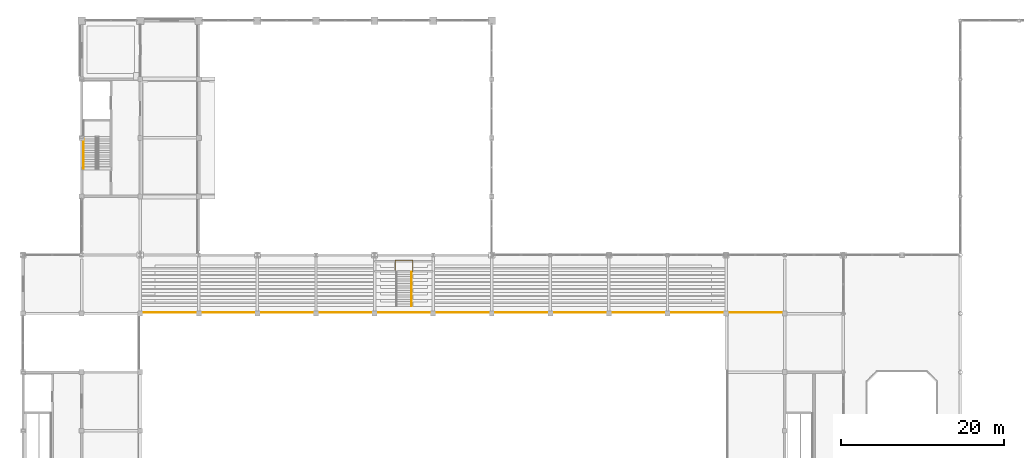
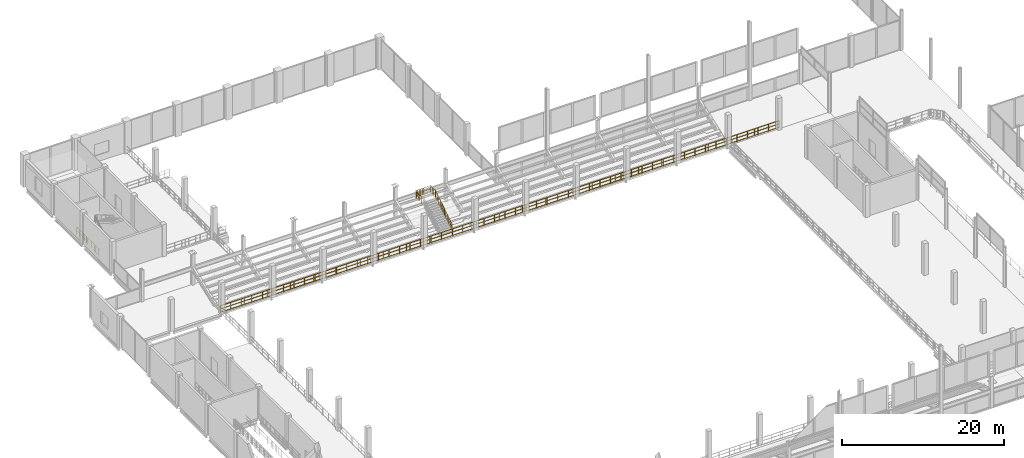
# One storey, part 113 of 120: 4 railings.
"""IFC4 building model written with IfcOpenShell, lengths in metres."""

from ifc_helpers import new_model, si_unit, direction, frame, origin, origin_2d, place, context, subcontext, project, spatial, circle, extrude, material, type_object, element, save


model = new_model("IFC4")

# Units and contexts
model_context = context("Model", 3, precision=1e-05, world=origin(), true_north=direction((0.0, 1.0)))
body_context = subcontext(model_context, "Body", "Model", "MODEL_VIEW")
ifc_project = project(units=[si_unit("LENGTHUNIT", "METRE"), si_unit("AREAUNIT", "SQUARE_METRE"), si_unit("VOLUMEUNIT", "CUBIC_METRE"), si_unit("PLANEANGLEUNIT", "RADIAN"), si_unit("MASSUNIT", "GRAM", prefix="KILO")], contexts=[model_context])

# Site, building, storey
site_placement = place(None, origin())
site = spatial("IfcSite", under=ifc_project, at=site_placement, CompositionType="ELEMENT")
building_placement = place(site_placement, origin())
building = spatial("IfcBuilding", under=site, at=building_placement, Name="Vesperath Aquatics Centre", CompositionType="ELEMENT")
storey_placement = place(building_placement, frame((0.0, 0.0, 10.199951171875)))
storey = spatial("IfcBuildingStorey", under=building, at=storey_placement, Name="L02", CompositionType="ELEMENT", Elevation=10.199951171875)

# Railings
ifc_material = material(Name="Powder-coated galvanized steel safety guard", Category="steel")
railing_type = type_object("IfcRailingType", Name="RL-GRD01", PredefinedType="GUARDRAIL", material=ifc_material)
railing_1_placement = place(storey_placement, frame((7.419921875, 97.0, 0.0)))
element("IfcRailing", 1, at=railing_1_placement, inside=storey, type_object=railing_type, Name="Stair ST3 Shaft Side Guard GR02 L02", PredefinedType="GUARDRAIL", context=body_context, shape_type="SweptSolid", body=[
    extrude(circle(Radius=0.02392578125, at=origin_2d()), frame((0.0, 0.0, 1.0859375), z_axis=(0.0, 1.0, 0.0), x_axis=(-1.0, 0.0, 0.0)), (0.0, 0.0, 1.0), 5.840087890625),
    extrude(circle(Radius=0.01611328125, at=origin_2d()), frame((0.0, 0.0, 0.10009765625), z_axis=(0.0, 1.0, 0.0), x_axis=(-1.0, 0.0, 0.0)), (0.0, 0.0, 1.0), 5.840087890625),
    extrude(circle(Radius=0.01611328125, at=origin_2d()), frame((0.0, 0.0, 0.610595703125), z_axis=(0.0, 1.0, 0.0), x_axis=(-1.0, 0.0, 0.0)), (0.0, 0.0, 1.0), 5.840087890625),
    extrude(circle(Radius=0.009033203125, at=origin_2d()), frame((0.0, 0.108154296875, 0.10009765625)), (0.0, 0.0, 1.0), 0.9619140625),
    extrude(circle(Radius=0.009033203125, at=origin_2d()), frame((0.0, 0.324462890625, 0.10009765625)), (0.0, 0.0, 1.0), 0.9619140625),
    extrude(circle(Radius=0.009033203125, at=origin_2d()), frame((0.0, 0.540771484375, 0.10009765625)), (0.0, 0.0, 1.0), 0.9619140625),
    extrude(circle(Radius=0.009033203125, at=origin_2d()), frame((0.0, 0.757080078125, 0.10009765625)), (0.0, 0.0, 1.0), 0.9619140625),
    extrude(circle(Radius=0.009033203125, at=origin_2d()), frame((0.0, 0.973388671875, 0.10009765625)), (0.0, 0.0, 1.0), 0.9619140625),
    extrude(circle(Radius=0.009033203125, at=origin_2d()), frame((0.0, 1.189697265625, 0.10009765625)), (0.0, 0.0, 1.0), 0.9619140625),
    extrude(circle(Radius=0.009033203125, at=origin_2d()), frame((0.0, 1.406005859375, 0.10009765625)), (0.0, 0.0, 1.0), 0.9619140625),
    extrude(circle(Radius=0.009033203125, at=origin_2d()), frame((0.0, 1.622314453125, 0.10009765625)), (0.0, 0.0, 1.0), 0.9619140625),
    extrude(circle(Radius=0.009033203125, at=origin_2d()), frame((0.0, 1.838623046875, 0.10009765625)), (0.0, 0.0, 1.0), 0.9619140625),
    extrude(circle(Radius=0.009033203125, at=origin_2d()), frame((0.0, 2.054931640625, 0.10009765625)), (0.0, 0.0, 1.0), 0.9619140625),
    extrude(circle(Radius=0.009033203125, at=origin_2d()), frame((0.0, 2.271240234375, 0.10009765625)), (0.0, 0.0, 1.0), 0.9619140625),
    extrude(circle(Radius=0.009033203125, at=origin_2d()), frame((0.0, 2.487548828125, 0.10009765625)), (0.0, 0.0, 1.0), 0.9619140625),
    extrude(circle(Radius=0.009033203125, at=origin_2d()), frame((0.0, 2.703857421875, 0.10009765625)), (0.0, 0.0, 1.0), 0.9619140625),
    extrude(circle(Radius=0.009033203125, at=origin_2d()), frame((0.0, 2.919921875, 0.10009765625)), (0.0, 0.0, 1.0), 0.9619140625),
    extrude(circle(Radius=0.009033203125, at=origin_2d()), frame((0.0, 3.13623046875, 0.10009765625)), (0.0, 0.0, 1.0), 0.9619140625),
    extrude(circle(Radius=0.009033203125, at=origin_2d()), frame((0.0, 3.3525390625, 0.10009765625)), (0.0, 0.0, 1.0), 0.9619140625),
    extrude(circle(Radius=0.009033203125, at=origin_2d()), frame((0.0, 3.56884765625, 0.10009765625)), (0.0, 0.0, 1.0), 0.9619140625),
    extrude(circle(Radius=0.009033203125, at=origin_2d()), frame((0.0, 3.78515625, 0.10009765625)), (0.0, 0.0, 1.0), 0.9619140625),
    extrude(circle(Radius=0.009033203125, at=origin_2d()), frame((0.0, 4.00146484375, 0.10009765625)), (0.0, 0.0, 1.0), 0.9619140625),
    extrude(circle(Radius=0.009033203125, at=origin_2d()), frame((0.0, 4.2177734375, 0.10009765625)), (0.0, 0.0, 1.0), 0.9619140625),
    extrude(circle(Radius=0.009033203125, at=origin_2d()), frame((0.0, 4.43408203125, 0.10009765625)), (0.0, 0.0, 1.0), 0.9619140625),
    extrude(circle(Radius=0.009033203125, at=origin_2d()), frame((0.0, 4.650390625, 0.10009765625)), (0.0, 0.0, 1.0), 0.9619140625),
    extrude(circle(Radius=0.009033203125, at=origin_2d()), frame((0.0, 4.86669921875, 0.10009765625)), (0.0, 0.0, 1.0), 0.9619140625),
    extrude(circle(Radius=0.009033203125, at=origin_2d()), frame((0.0, 5.0830078125, 0.10009765625)), (0.0, 0.0, 1.0), 0.9619140625),
    extrude(circle(Radius=0.009033203125, at=origin_2d()), frame((0.0, 5.29931640625, 0.10009765625)), (0.0, 0.0, 1.0), 0.9619140625),
    extrude(circle(Radius=0.009033203125, at=origin_2d()), frame((0.0, 5.515625, 0.10009765625)), (0.0, 0.0, 1.0), 0.9619140625),
    extrude(circle(Radius=0.009033203125, at=origin_2d()), frame((0.0, 5.73193359375, 0.10009765625)), (0.0, 0.0, 1.0), 0.9619140625),
    extrude(circle(Radius=0.02197265625, at=origin_2d()), origin(), (0.0, 0.0, 1.0), 1.0859375),
    extrude(circle(Radius=0.02197265625, at=origin_2d()), frame((0.0, 1.16796875, 0.0)), (0.0, 0.0, 1.0), 1.0859375),
    extrude(circle(Radius=0.02197265625, at=origin_2d()), frame((0.0, 2.3359375, 0.0)), (0.0, 0.0, 1.0), 1.0859375),
    extrude(circle(Radius=0.02197265625, at=origin_2d()), frame((0.0, 3.504150390625, 0.0)), (0.0, 0.0, 1.0), 1.0859375),
    extrude(circle(Radius=0.02197265625, at=origin_2d()), frame((0.0, 4.672119140625, 0.0)), (0.0, 0.0, 1.0), 1.0859375),
    extrude(circle(Radius=0.02197265625, at=origin_2d()), frame((0.0, 5.840087890625, 0.0)), (0.0, 0.0, 1.0), 1.0859375),
])
railing_2_placement = place(storey_placement, frame((47.719970703125, 80.10009765625, 0.0)))
element("IfcRailing", 2, at=railing_2_placement, inside=storey, type_object=railing_type, Name="Vomitory VOM-08 Guardrail GR02-E", PredefinedType="GUARDRAIL", context=body_context, shape_type="SweptSolid", body=[
    extrude(circle(Radius=0.02392578125, at=origin_2d()), frame((0.0, 0.0, 1.0859375), z_axis=(0.0, 0.845711950773, 0.53363966899), x_axis=(-1.0, 0.0, 0.0)), (0.0, 0.0, 1.0), 4.966064453125),
    extrude(circle(Radius=0.01611328125, at=origin_2d()), frame((0.0, 0.0, 0.10009765625), z_axis=(0.0, 0.845711950773, 0.53363966899), x_axis=(-1.0, 0.0, 0.0)), (0.0, 0.0, 1.0), 4.966064453125),
    extrude(circle(Radius=0.01611328125, at=origin_2d()), frame((0.0, 0.0, 0.610595703125), z_axis=(0.0, 0.845711950773, 0.53363966899), x_axis=(-1.0, 0.0, 0.0)), (0.0, 0.0, 1.0), 4.966064453125),
    extrude(circle(Radius=0.009033203125, at=origin_2d()), frame((0.0, 0.09130859375, 0.15771484375)), (0.0, 0.0, 1.0), 0.9619140625),
    extrude(circle(Radius=0.009033203125, at=origin_2d()), frame((0.0, 0.1826171875, 0.21533203125)), (0.0, 0.0, 1.0), 0.9619140625),
    extrude(circle(Radius=0.009033203125, at=origin_2d()), frame((0.0, 0.27392578125, 0.27294921875)), (0.0, 0.0, 1.0), 0.9619140625),
    extrude(circle(Radius=0.009033203125, at=origin_2d()), frame((0.0, 0.365234375, 0.33056640625)), (0.0, 0.0, 1.0), 0.9619140625),
    extrude(circle(Radius=0.009033203125, at=origin_2d()), frame((0.0, 0.45654296875, 0.38818359375)), (0.0, 0.0, 1.0), 0.9619140625),
    extrude(circle(Radius=0.009033203125, at=origin_2d()), frame((0.0, 0.5478515625, 0.44580078125)), (0.0, 0.0, 1.0), 0.9619140625),
    extrude(circle(Radius=0.009033203125, at=origin_2d()), frame((0.0, 0.63916015625, 0.50341796875)), (0.0, 0.0, 1.0), 0.9619140625),
    extrude(circle(Radius=0.009033203125, at=origin_2d()), frame((0.0, 0.73046875, 0.56103515625)), (0.0, 0.0, 1.0), 0.9619140625),
    extrude(circle(Radius=0.009033203125, at=origin_2d()), frame((0.0, 0.82177734375, 0.61865234375)), (0.0, 0.0, 1.0), 0.9619140625),
    extrude(circle(Radius=0.009033203125, at=origin_2d()), frame((0.0, 0.9130859375, 0.67626953125)), (0.0, 0.0, 1.0), 0.9619140625),
    extrude(circle(Radius=0.009033203125, at=origin_2d()), frame((0.0, 1.00439453125, 0.73388671875)), (0.0, 0.0, 1.0), 0.9619140625),
    extrude(circle(Radius=0.009033203125, at=origin_2d()), frame((0.0, 1.095703125, 0.79150390625)), (0.0, 0.0, 1.0), 0.9619140625),
    extrude(circle(Radius=0.009033203125, at=origin_2d()), frame((0.0, 1.18701171875, 0.84912109375)), (0.0, 0.0, 1.0), 0.9619140625),
    extrude(circle(Radius=0.009033203125, at=origin_2d()), frame((0.0, 1.2783203125, 0.90673828125)), (0.0, 0.0, 1.0), 0.9619140625),
    extrude(circle(Radius=0.009033203125, at=origin_2d()), frame((0.0, 1.36962890625, 0.96435546875)), (0.0, 0.0, 1.0), 0.9619140625),
    extrude(circle(Radius=0.009033203125, at=origin_2d()), frame((0.0, 1.4609375, 1.02197265625)), (0.0, 0.0, 1.0), 0.9619140625),
    extrude(circle(Radius=0.009033203125, at=origin_2d()), frame((0.0, 1.55224609375, 1.07958984375)), (0.0, 0.0, 1.0), 0.9619140625),
    extrude(circle(Radius=0.009033203125, at=origin_2d()), frame((0.0, 1.6435546875, 1.13720703125)), (0.0, 0.0, 1.0), 0.9619140625),
    extrude(circle(Radius=0.009033203125, at=origin_2d()), frame((0.0, 1.73486328125, 1.19482421875)), (0.0, 0.0, 1.0), 0.9619140625),
    extrude(circle(Radius=0.009033203125, at=origin_2d()), frame((0.0, 1.826171875, 1.25244140625)), (0.0, 0.0, 1.0), 0.9619140625),
    extrude(circle(Radius=0.009033203125, at=origin_2d()), frame((0.0, 1.91748046875, 1.31005859375)), (0.0, 0.0, 1.0), 0.9619140625),
    extrude(circle(Radius=0.009033203125, at=origin_2d()), frame((0.0, 2.0087890625, 1.36767578125)), (0.0, 0.0, 1.0), 0.9619140625),
    extrude(circle(Radius=0.009033203125, at=origin_2d()), frame((0.0, 2.10009765625, 1.42529296875)), (0.0, 0.0, 1.0), 0.9619140625),
    extrude(circle(Radius=0.009033203125, at=origin_2d()), frame((0.0, 2.191162109375, 1.482666015625)), (0.0, 0.0, 1.0), 0.9619140625),
    extrude(circle(Radius=0.009033203125, at=origin_2d()), frame((0.0, 2.282470703125, 1.540283203125)), (0.0, 0.0, 1.0), 0.9619140625),
    extrude(circle(Radius=0.009033203125, at=origin_2d()), frame((0.0, 2.373779296875, 1.597900390625)), (0.0, 0.0, 1.0), 0.9619140625),
    extrude(circle(Radius=0.009033203125, at=origin_2d()), frame((0.0, 2.465087890625, 1.655517578125)), (0.0, 0.0, 1.0), 0.9619140625),
    extrude(circle(Radius=0.009033203125, at=origin_2d()), frame((0.0, 2.556396484375, 1.713134765625)), (0.0, 0.0, 1.0), 0.9619140625),
    extrude(circle(Radius=0.009033203125, at=origin_2d()), frame((0.0, 2.647705078125, 1.770751953125)), (0.0, 0.0, 1.0), 0.9619140625),
    extrude(circle(Radius=0.009033203125, at=origin_2d()), frame((0.0, 2.739013671875, 1.828369140625)), (0.0, 0.0, 1.0), 0.9619140625),
    extrude(circle(Radius=0.009033203125, at=origin_2d()), frame((0.0, 2.830322265625, 1.885986328125)), (0.0, 0.0, 1.0), 0.9619140625),
    extrude(circle(Radius=0.009033203125, at=origin_2d()), frame((0.0, 2.921630859375, 1.943603515625)), (0.0, 0.0, 1.0), 0.9619140625),
    extrude(circle(Radius=0.009033203125, at=origin_2d()), frame((0.0, 3.012939453125, 2.001220703125)), (0.0, 0.0, 1.0), 0.9619140625),
    extrude(circle(Radius=0.009033203125, at=origin_2d()), frame((0.0, 3.104248046875, 2.058837890625)), (0.0, 0.0, 1.0), 0.9619140625),
    extrude(circle(Radius=0.009033203125, at=origin_2d()), frame((0.0, 3.195556640625, 2.116455078125)), (0.0, 0.0, 1.0), 0.9619140625),
    extrude(circle(Radius=0.009033203125, at=origin_2d()), frame((0.0, 3.286865234375, 2.174072265625)), (0.0, 0.0, 1.0), 0.9619140625),
    extrude(circle(Radius=0.009033203125, at=origin_2d()), frame((0.0, 3.378173828125, 2.231689453125)), (0.0, 0.0, 1.0), 0.9619140625),
    extrude(circle(Radius=0.009033203125, at=origin_2d()), frame((0.0, 3.469482421875, 2.289306640625)), (0.0, 0.0, 1.0), 0.9619140625),
    extrude(circle(Radius=0.009033203125, at=origin_2d()), frame((0.0, 3.560791015625, 2.346923828125)), (0.0, 0.0, 1.0), 0.9619140625),
    extrude(circle(Radius=0.009033203125, at=origin_2d()), frame((0.0, 3.652099609375, 2.404541015625)), (0.0, 0.0, 1.0), 0.9619140625),
    extrude(circle(Radius=0.009033203125, at=origin_2d()), frame((0.0, 3.743408203125, 2.462158203125)), (0.0, 0.0, 1.0), 0.9619140625),
    extrude(circle(Radius=0.009033203125, at=origin_2d()), frame((0.0, 3.834716796875, 2.519775390625)), (0.0, 0.0, 1.0), 0.9619140625),
    extrude(circle(Radius=0.009033203125, at=origin_2d()), frame((0.0, 3.926025390625, 2.577392578125)), (0.0, 0.0, 1.0), 0.9619140625),
    extrude(circle(Radius=0.009033203125, at=origin_2d()), frame((0.0, 4.017333984375, 2.635009765625)), (0.0, 0.0, 1.0), 0.9619140625),
    extrude(circle(Radius=0.009033203125, at=origin_2d()), frame((0.0, 4.108642578125, 2.692626953125)), (0.0, 0.0, 1.0), 0.9619140625),
    extrude(circle(Radius=0.02197265625, at=origin_2d()), origin(), (0.0, 0.0, 1.0), 1.0859375),
    extrude(circle(Radius=0.02197265625, at=origin_2d()), frame((0.0, 0.840087890625, 0.530029296875)), (0.0, 0.0, 1.0), 1.0859375),
    extrude(circle(Radius=0.02197265625, at=origin_2d()), frame((0.0, 1.679931640625, 1.06005859375)), (0.0, 0.0, 1.0), 1.0859375),
    extrude(circle(Radius=0.02197265625, at=origin_2d()), frame((0.0, 2.52001953125, 1.590087890625)), (0.0, 0.0, 1.0), 1.0859375),
    extrude(circle(Radius=0.02197265625, at=origin_2d()), frame((0.0, 3.35986328125, 2.1201171875)), (0.0, 0.0, 1.0), 1.0859375),
    extrude(circle(Radius=0.02197265625, at=origin_2d()), frame((0.0, 4.199951171875, 2.650146484375)), (0.0, 0.0, 1.0), 1.0859375),
])
railing_3_placement = place(storey_placement, frame((45.719970703125, 84.300048828125, 2.400146484375)))
element("IfcRailing", 3, at=railing_3_placement, inside=storey, type_object=railing_type, Name="Vomitory VOM-08 Top Landing Guard GR02", PredefinedType="GUARDRAIL", context=body_context, shape_type="SweptSolid", body=[
    extrude(circle(Radius=0.02392578125, at=origin_2d()), frame((0.0, 0.0, 1.0859375), z_axis=(0.0, 1.0, 0.0), x_axis=(-1.0, 0.0, 0.0)), (0.0, 0.0, 1.0), 1.449951171875),
    extrude(circle(Radius=0.01611328125, at=origin_2d()), frame((0.0, 0.0, 0.10009765625), z_axis=(0.0, 1.0, 0.0), x_axis=(-1.0, 0.0, 0.0)), (0.0, 0.0, 1.0), 1.449951171875),
    extrude(circle(Radius=0.01611328125, at=origin_2d()), frame((0.0, 0.0, 0.610595703125), z_axis=(0.0, 1.0, 0.0), x_axis=(-1.0, 0.0, 0.0)), (0.0, 0.0, 1.0), 1.449951171875),
    extrude(circle(Radius=0.009033203125, at=origin_2d()), frame((0.0, 0.103515625, 0.10009765625)), (0.0, 0.0, 1.0), 0.9619140625),
    extrude(circle(Radius=0.009033203125, at=origin_2d()), frame((0.0, 0.20703125, 0.10009765625)), (0.0, 0.0, 1.0), 0.9619140625),
    extrude(circle(Radius=0.009033203125, at=origin_2d()), frame((0.0, 0.310791015625, 0.10009765625)), (0.0, 0.0, 1.0), 0.9619140625),
    extrude(circle(Radius=0.009033203125, at=origin_2d()), frame((0.0, 0.414306640625, 0.10009765625)), (0.0, 0.0, 1.0), 0.9619140625),
    extrude(circle(Radius=0.009033203125, at=origin_2d()), frame((0.0, 0.517822265625, 0.10009765625)), (0.0, 0.0, 1.0), 0.9619140625),
    extrude(circle(Radius=0.009033203125, at=origin_2d()), frame((0.0, 0.621337890625, 0.10009765625)), (0.0, 0.0, 1.0), 0.9619140625),
    extrude(circle(Radius=0.009033203125, at=origin_2d()), frame((0.0, 0.72509765625, 0.10009765625)), (0.0, 0.0, 1.0), 0.9619140625),
    extrude(circle(Radius=0.009033203125, at=origin_2d()), frame((0.0, 0.82861328125, 0.10009765625)), (0.0, 0.0, 1.0), 0.9619140625),
    extrude(circle(Radius=0.009033203125, at=origin_2d()), frame((0.0, 0.93212890625, 0.10009765625)), (0.0, 0.0, 1.0), 0.9619140625),
    extrude(circle(Radius=0.009033203125, at=origin_2d()), frame((0.0, 1.03564453125, 0.10009765625)), (0.0, 0.0, 1.0), 0.9619140625),
    extrude(circle(Radius=0.009033203125, at=origin_2d()), frame((0.0, 1.13916015625, 0.10009765625)), (0.0, 0.0, 1.0), 0.9619140625),
    extrude(circle(Radius=0.009033203125, at=origin_2d()), frame((0.0, 1.242919921875, 0.10009765625)), (0.0, 0.0, 1.0), 0.9619140625),
    extrude(circle(Radius=0.009033203125, at=origin_2d()), frame((0.0, 1.346435546875, 0.10009765625)), (0.0, 0.0, 1.0), 0.9619140625),
    extrude(circle(Radius=0.02392578125, at=origin_2d()), frame((0.0, 1.449951171875, 1.0859375), z_axis=(1.0, 0.0, 0.0), x_axis=(0.0, 1.0, 0.0)), (0.0, 0.0, 1.0), 2.159912109375),
    extrude(circle(Radius=0.01611328125, at=origin_2d()), frame((0.0, 1.449951171875, 0.10009765625), z_axis=(1.0, 0.0, 0.0), x_axis=(0.0, 1.0, 0.0)), (0.0, 0.0, 1.0), 2.159912109375),
    extrude(circle(Radius=0.01611328125, at=origin_2d()), frame((0.0, 1.449951171875, 0.610595703125), z_axis=(1.0, 0.0, 0.0), x_axis=(0.0, 1.0, 0.0)), (0.0, 0.0, 1.0), 2.159912109375),
    extrude(circle(Radius=0.009033203125, at=origin_2d()), frame((0.10791015625, 1.449951171875, 0.10009765625)), (0.0, 0.0, 1.0), 0.9619140625),
    extrude(circle(Radius=0.009033203125, at=origin_2d()), frame((0.216064453125, 1.449951171875, 0.10009765625)), (0.0, 0.0, 1.0), 0.9619140625),
    extrude(circle(Radius=0.009033203125, at=origin_2d()), frame((0.323974609375, 1.449951171875, 0.10009765625)), (0.0, 0.0, 1.0), 0.9619140625),
    extrude(circle(Radius=0.009033203125, at=origin_2d()), frame((0.431884765625, 1.449951171875, 0.10009765625)), (0.0, 0.0, 1.0), 0.9619140625),
    extrude(circle(Radius=0.009033203125, at=origin_2d()), frame((0.5400390625, 1.449951171875, 0.10009765625)), (0.0, 0.0, 1.0), 0.9619140625),
    extrude(circle(Radius=0.009033203125, at=origin_2d()), frame((0.64794921875, 1.449951171875, 0.10009765625)), (0.0, 0.0, 1.0), 0.9619140625),
    extrude(circle(Radius=0.009033203125, at=origin_2d()), frame((0.755859375, 1.449951171875, 0.10009765625)), (0.0, 0.0, 1.0), 0.9619140625),
    extrude(circle(Radius=0.009033203125, at=origin_2d()), frame((0.864013671875, 1.449951171875, 0.10009765625)), (0.0, 0.0, 1.0), 0.9619140625),
    extrude(circle(Radius=0.009033203125, at=origin_2d()), frame((0.971923828125, 1.449951171875, 0.10009765625)), (0.0, 0.0, 1.0), 0.9619140625),
    extrude(circle(Radius=0.009033203125, at=origin_2d()), frame((1.080078125, 1.449951171875, 0.10009765625)), (0.0, 0.0, 1.0), 0.9619140625),
    extrude(circle(Radius=0.009033203125, at=origin_2d()), frame((1.18798828125, 1.449951171875, 0.10009765625)), (0.0, 0.0, 1.0), 0.9619140625),
    extrude(circle(Radius=0.009033203125, at=origin_2d()), frame((1.2958984375, 1.449951171875, 0.10009765625)), (0.0, 0.0, 1.0), 0.9619140625),
    extrude(circle(Radius=0.009033203125, at=origin_2d()), frame((1.404052734375, 1.449951171875, 0.10009765625)), (0.0, 0.0, 1.0), 0.9619140625),
    extrude(circle(Radius=0.009033203125, at=origin_2d()), frame((1.511962890625, 1.449951171875, 0.10009765625)), (0.0, 0.0, 1.0), 0.9619140625),
    extrude(circle(Radius=0.009033203125, at=origin_2d()), frame((1.619873046875, 1.449951171875, 0.10009765625)), (0.0, 0.0, 1.0), 0.9619140625),
    extrude(circle(Radius=0.009033203125, at=origin_2d()), frame((1.72802734375, 1.449951171875, 0.10009765625)), (0.0, 0.0, 1.0), 0.9619140625),
    extrude(circle(Radius=0.009033203125, at=origin_2d()), frame((1.8359375, 1.449951171875, 0.10009765625)), (0.0, 0.0, 1.0), 0.9619140625),
    extrude(circle(Radius=0.009033203125, at=origin_2d()), frame((1.94384765625, 1.449951171875, 0.10009765625)), (0.0, 0.0, 1.0), 0.9619140625),
    extrude(circle(Radius=0.009033203125, at=origin_2d()), frame((2.052001953125, 1.449951171875, 0.10009765625)), (0.0, 0.0, 1.0), 0.9619140625),
    extrude(circle(Radius=0.02392578125, at=origin_2d()), frame((2.159912109375, 1.449951171875, 1.0859375), z_axis=(0.0, -1.0, 0.0), x_axis=(1.0, 0.0, 0.0)), (0.0, 0.0, 1.0), 1.449951171875),
    extrude(circle(Radius=0.01611328125, at=origin_2d()), frame((2.159912109375, 1.449951171875, 0.10009765625), z_axis=(0.0, -1.0, 0.0), x_axis=(1.0, 0.0, 0.0)), (0.0, 0.0, 1.0), 1.449951171875),
    extrude(circle(Radius=0.01611328125, at=origin_2d()), frame((2.159912109375, 1.449951171875, 0.610595703125), z_axis=(0.0, -1.0, 0.0), x_axis=(1.0, 0.0, 0.0)), (0.0, 0.0, 1.0), 1.449951171875),
    extrude(circle(Radius=0.009033203125, at=origin_2d()), frame((2.159912109375, 1.346435546875, 0.10009765625)), (0.0, 0.0, 1.0), 0.9619140625),
    extrude(circle(Radius=0.009033203125, at=origin_2d()), frame((2.159912109375, 1.242919921875, 0.10009765625)), (0.0, 0.0, 1.0), 0.9619140625),
    extrude(circle(Radius=0.009033203125, at=origin_2d()), frame((2.159912109375, 1.13916015625, 0.10009765625)), (0.0, 0.0, 1.0), 0.9619140625),
    extrude(circle(Radius=0.009033203125, at=origin_2d()), frame((2.159912109375, 1.03564453125, 0.10009765625)), (0.0, 0.0, 1.0), 0.9619140625),
    extrude(circle(Radius=0.009033203125, at=origin_2d()), frame((2.159912109375, 0.93212890625, 0.10009765625)), (0.0, 0.0, 1.0), 0.9619140625),
    extrude(circle(Radius=0.009033203125, at=origin_2d()), frame((2.159912109375, 0.82861328125, 0.10009765625)), (0.0, 0.0, 1.0), 0.9619140625),
    extrude(circle(Radius=0.009033203125, at=origin_2d()), frame((2.159912109375, 0.72509765625, 0.10009765625)), (0.0, 0.0, 1.0), 0.9619140625),
    extrude(circle(Radius=0.009033203125, at=origin_2d()), frame((2.159912109375, 0.621337890625, 0.10009765625)), (0.0, 0.0, 1.0), 0.9619140625),
    extrude(circle(Radius=0.009033203125, at=origin_2d()), frame((2.159912109375, 0.517822265625, 0.10009765625)), (0.0, 0.0, 1.0), 0.9619140625),
    extrude(circle(Radius=0.009033203125, at=origin_2d()), frame((2.159912109375, 0.414306640625, 0.10009765625)), (0.0, 0.0, 1.0), 0.9619140625),
    extrude(circle(Radius=0.009033203125, at=origin_2d()), frame((2.159912109375, 0.310791015625, 0.10009765625)), (0.0, 0.0, 1.0), 0.9619140625),
    extrude(circle(Radius=0.009033203125, at=origin_2d()), frame((2.159912109375, 0.20703125, 0.10009765625)), (0.0, 0.0, 1.0), 0.9619140625),
    extrude(circle(Radius=0.009033203125, at=origin_2d()), frame((2.159912109375, 0.103515625, 0.10009765625)), (0.0, 0.0, 1.0), 0.9619140625),
    extrude(circle(Radius=0.02197265625, at=origin_2d()), origin(), (0.0, 0.0, 1.0), 1.0859375),
    extrude(circle(Radius=0.02197265625, at=origin_2d()), frame((0.0, 0.72509765625, 0.0)), (0.0, 0.0, 1.0), 1.0859375),
    extrude(circle(Radius=0.02197265625, at=origin_2d()), frame((0.0, 1.449951171875, 0.0)), (0.0, 0.0, 1.0), 1.0859375),
    extrude(circle(Radius=0.02197265625, at=origin_2d()), frame((1.080078125, 1.449951171875, 0.0)), (0.0, 0.0, 1.0), 1.0859375),
    extrude(circle(Radius=0.02197265625, at=origin_2d()), frame((2.159912109375, 1.449951171875, 0.0)), (0.0, 0.0, 1.0), 1.0859375),
    extrude(circle(Radius=0.02197265625, at=origin_2d()), frame((2.159912109375, 0.72509765625, 0.0)), (0.0, 0.0, 1.0), 1.0859375),
    extrude(circle(Radius=0.02197265625, at=origin_2d()), frame((2.159912109375, 0.0, 0.0)), (0.0, 0.0, 1.0), 1.0859375),
])
railing_4_placement = place(storey_placement, frame((14.25, 79.35009765625, 0.0)))
element("IfcRailing", 4, at=railing_4_placement, inside=storey, type_object=railing_type, Name="Safety Guardrail GR02 GRD_L02_CONC_N", PredefinedType="GUARDRAIL", context=body_context, shape_type="SweptSolid", body=[
    extrude(circle(Radius=0.02392578125, at=origin_2d()), frame((0.0, 0.0, 1.0859375), z_axis=(1.0, 0.0, 0.0), x_axis=(0.0, 1.0, 0.0)), (0.0, 0.0, 1.0), 79.5),
    extrude(circle(Radius=0.01611328125, at=origin_2d()), frame((0.0, 0.0, 0.10009765625), z_axis=(1.0, 0.0, 0.0), x_axis=(0.0, 1.0, 0.0)), (0.0, 0.0, 1.0), 79.5),
    extrude(circle(Radius=0.01611328125, at=origin_2d()), frame((0.0, 0.0, 0.610595703125), z_axis=(1.0, 0.0, 0.0), x_axis=(0.0, 1.0, 0.0)), (0.0, 0.0, 1.0), 79.5),
    extrude(circle(Radius=0.009033203125, at=origin_2d()), frame((0.10986328125, 0.0, 0.10009765625)), (0.0, 0.0, 1.0), 0.9619140625),
    extrude(circle(Radius=0.009033203125, at=origin_2d()), frame((3.40869140625, 0.0, 0.10009765625)), (0.0, 0.0, 1.0), 0.9619140625),
    extrude(circle(Radius=0.009033203125, at=origin_2d()), frame((6.70751953125, 0.0, 0.10009765625)), (0.0, 0.0, 1.0), 0.9619140625),
    extrude(circle(Radius=0.009033203125, at=origin_2d()), frame((10.006103515625, 0.0, 0.10009765625)), (0.0, 0.0, 1.0), 0.9619140625),
    extrude(circle(Radius=0.009033203125, at=origin_2d()), frame((13.304931640625, 0.0, 0.10009765625)), (0.0, 0.0, 1.0), 0.9619140625),
    extrude(circle(Radius=0.009033203125, at=origin_2d()), frame((16.603759765625, 0.0, 0.10009765625)), (0.0, 0.0, 1.0), 0.9619140625),
    extrude(circle(Radius=0.009033203125, at=origin_2d()), frame((19.902587890625, 0.0, 0.10009765625)), (0.0, 0.0, 1.0), 0.9619140625),
    extrude(circle(Radius=0.009033203125, at=origin_2d()), frame((23.201171875, 0.0, 0.10009765625)), (0.0, 0.0, 1.0), 0.9619140625),
    extrude(circle(Radius=0.009033203125, at=origin_2d()), frame((26.5, 0.0, 0.10009765625)), (0.0, 0.0, 1.0), 0.9619140625),
    extrude(circle(Radius=0.009033203125, at=origin_2d()), frame((29.798828125, 0.0, 0.10009765625)), (0.0, 0.0, 1.0), 0.9619140625),
    extrude(circle(Radius=0.009033203125, at=origin_2d()), frame((33.097412109375, 0.0, 0.10009765625)), (0.0, 0.0, 1.0), 0.9619140625),
    extrude(circle(Radius=0.009033203125, at=origin_2d()), frame((36.396240234375, 0.0, 0.10009765625)), (0.0, 0.0, 1.0), 0.9619140625),
    extrude(circle(Radius=0.009033203125, at=origin_2d()), frame((39.695068359375, 0.0, 0.10009765625)), (0.0, 0.0, 1.0), 0.9619140625),
    extrude(circle(Radius=0.009033203125, at=origin_2d()), frame((42.993896484375, 0.0, 0.10009765625)), (0.0, 0.0, 1.0), 0.9619140625),
    extrude(circle(Radius=0.009033203125, at=origin_2d()), frame((46.29248046875, 0.0, 0.10009765625)), (0.0, 0.0, 1.0), 0.9619140625),
    extrude(circle(Radius=0.009033203125, at=origin_2d()), frame((49.59130859375, 0.0, 0.10009765625)), (0.0, 0.0, 1.0), 0.9619140625),
    extrude(circle(Radius=0.009033203125, at=origin_2d()), frame((52.89013671875, 0.0, 0.10009765625)), (0.0, 0.0, 1.0), 0.9619140625),
    extrude(circle(Radius=0.009033203125, at=origin_2d()), frame((56.188720703125, 0.0, 0.10009765625)), (0.0, 0.0, 1.0), 0.9619140625),
    extrude(circle(Radius=0.009033203125, at=origin_2d()), frame((59.487548828125, 0.0, 0.10009765625)), (0.0, 0.0, 1.0), 0.9619140625),
    extrude(circle(Radius=0.009033203125, at=origin_2d()), frame((62.786376953125, 0.0, 0.10009765625)), (0.0, 0.0, 1.0), 0.9619140625),
    extrude(circle(Radius=0.009033203125, at=origin_2d()), frame((66.0849609375, 0.0, 0.10009765625)), (0.0, 0.0, 1.0), 0.9619140625),
    extrude(circle(Radius=0.009033203125, at=origin_2d()), frame((69.3837890625, 0.0, 0.10009765625)), (0.0, 0.0, 1.0), 0.9619140625),
    extrude(circle(Radius=0.009033203125, at=origin_2d()), frame((72.6826171875, 0.0, 0.10009765625)), (0.0, 0.0, 1.0), 0.9619140625),
    extrude(circle(Radius=0.009033203125, at=origin_2d()), frame((75.9814453125, 0.0, 0.10009765625)), (0.0, 0.0, 1.0), 0.9619140625),
    extrude(circle(Radius=0.009033203125, at=origin_2d()), frame((79.280029296875, 0.0, 0.10009765625)), (0.0, 0.0, 1.0), 0.9619140625),
    extrude(circle(Radius=0.02197265625, at=origin_2d()), origin(), (0.0, 0.0, 1.0), 1.0859375),
    extrude(circle(Radius=0.02197265625, at=origin_2d()), frame((1.5, 0.0, 0.0)), (0.0, 0.0, 1.0), 1.0859375),
    extrude(circle(Radius=0.02197265625, at=origin_2d()), frame((3.0, 0.0, 0.0)), (0.0, 0.0, 1.0), 1.0859375),
    extrude(circle(Radius=0.02197265625, at=origin_2d()), frame((4.5, 0.0, 0.0)), (0.0, 0.0, 1.0), 1.0859375),
    extrude(circle(Radius=0.02197265625, at=origin_2d()), frame((6.0, 0.0, 0.0)), (0.0, 0.0, 1.0), 1.0859375),
    extrude(circle(Radius=0.02197265625, at=origin_2d()), frame((7.5, 0.0, 0.0)), (0.0, 0.0, 1.0), 1.0859375),
    extrude(circle(Radius=0.02197265625, at=origin_2d()), frame((9.0, 0.0, 0.0)), (0.0, 0.0, 1.0), 1.0859375),
    extrude(circle(Radius=0.02197265625, at=origin_2d()), frame((10.5, 0.0, 0.0)), (0.0, 0.0, 1.0), 1.0859375),
    extrude(circle(Radius=0.02197265625, at=origin_2d()), frame((12.0, 0.0, 0.0)), (0.0, 0.0, 1.0), 1.0859375),
    extrude(circle(Radius=0.02197265625, at=origin_2d()), frame((13.5, 0.0, 0.0)), (0.0, 0.0, 1.0), 1.0859375),
    extrude(circle(Radius=0.02197265625, at=origin_2d()), frame((15.0, 0.0, 0.0)), (0.0, 0.0, 1.0), 1.0859375),
    extrude(circle(Radius=0.02197265625, at=origin_2d()), frame((16.5, 0.0, 0.0)), (0.0, 0.0, 1.0), 1.0859375),
    extrude(circle(Radius=0.02197265625, at=origin_2d()), frame((18.0, 0.0, 0.0)), (0.0, 0.0, 1.0), 1.0859375),
    extrude(circle(Radius=0.02197265625, at=origin_2d()), frame((19.5, 0.0, 0.0)), (0.0, 0.0, 1.0), 1.0859375),
    extrude(circle(Radius=0.02197265625, at=origin_2d()), frame((21.0, 0.0, 0.0)), (0.0, 0.0, 1.0), 1.0859375),
    extrude(circle(Radius=0.02197265625, at=origin_2d()), frame((22.5, 0.0, 0.0)), (0.0, 0.0, 1.0), 1.0859375),
    extrude(circle(Radius=0.02197265625, at=origin_2d()), frame((24.0, 0.0, 0.0)), (0.0, 0.0, 1.0), 1.0859375),
    extrude(circle(Radius=0.02197265625, at=origin_2d()), frame((25.5, 0.0, 0.0)), (0.0, 0.0, 1.0), 1.0859375),
    extrude(circle(Radius=0.02197265625, at=origin_2d()), frame((27.0, 0.0, 0.0)), (0.0, 0.0, 1.0), 1.0859375),
    extrude(circle(Radius=0.02197265625, at=origin_2d()), frame((28.5, 0.0, 0.0)), (0.0, 0.0, 1.0), 1.0859375),
    extrude(circle(Radius=0.02197265625, at=origin_2d()), frame((30.0, 0.0, 0.0)), (0.0, 0.0, 1.0), 1.0859375),
    extrude(circle(Radius=0.02197265625, at=origin_2d()), frame((31.5, 0.0, 0.0)), (0.0, 0.0, 1.0), 1.0859375),
    extrude(circle(Radius=0.02197265625, at=origin_2d()), frame((33.0, 0.0, 0.0)), (0.0, 0.0, 1.0), 1.0859375),
    extrude(circle(Radius=0.02197265625, at=origin_2d()), frame((34.5, 0.0, 0.0)), (0.0, 0.0, 1.0), 1.0859375),
    extrude(circle(Radius=0.02197265625, at=origin_2d()), frame((36.0, 0.0, 0.0)), (0.0, 0.0, 1.0), 1.0859375),
    extrude(circle(Radius=0.02197265625, at=origin_2d()), frame((37.5, 0.0, 0.0)), (0.0, 0.0, 1.0), 1.0859375),
    extrude(circle(Radius=0.02197265625, at=origin_2d()), frame((39.0, 0.0, 0.0)), (0.0, 0.0, 1.0), 1.0859375),
    extrude(circle(Radius=0.02197265625, at=origin_2d()), frame((40.5, 0.0, 0.0)), (0.0, 0.0, 1.0), 1.0859375),
    extrude(circle(Radius=0.02197265625, at=origin_2d()), frame((42.0, 0.0, 0.0)), (0.0, 0.0, 1.0), 1.0859375),
    extrude(circle(Radius=0.02197265625, at=origin_2d()), frame((43.5, 0.0, 0.0)), (0.0, 0.0, 1.0), 1.0859375),
    extrude(circle(Radius=0.02197265625, at=origin_2d()), frame((45.0, 0.0, 0.0)), (0.0, 0.0, 1.0), 1.0859375),
    extrude(circle(Radius=0.02197265625, at=origin_2d()), frame((46.5, 0.0, 0.0)), (0.0, 0.0, 1.0), 1.0859375),
    extrude(circle(Radius=0.02197265625, at=origin_2d()), frame((48.0, 0.0, 0.0)), (0.0, 0.0, 1.0), 1.0859375),
    extrude(circle(Radius=0.02197265625, at=origin_2d()), frame((49.5, 0.0, 0.0)), (0.0, 0.0, 1.0), 1.0859375),
    extrude(circle(Radius=0.02197265625, at=origin_2d()), frame((51.0, 0.0, 0.0)), (0.0, 0.0, 1.0), 1.0859375),
    extrude(circle(Radius=0.02197265625, at=origin_2d()), frame((52.5, 0.0, 0.0)), (0.0, 0.0, 1.0), 1.0859375),
    extrude(circle(Radius=0.02197265625, at=origin_2d()), frame((54.0, 0.0, 0.0)), (0.0, 0.0, 1.0), 1.0859375),
    extrude(circle(Radius=0.02197265625, at=origin_2d()), frame((55.5, 0.0, 0.0)), (0.0, 0.0, 1.0), 1.0859375),
    extrude(circle(Radius=0.02197265625, at=origin_2d()), frame((57.0, 0.0, 0.0)), (0.0, 0.0, 1.0), 1.0859375),
    extrude(circle(Radius=0.02197265625, at=origin_2d()), frame((58.5, 0.0, 0.0)), (0.0, 0.0, 1.0), 1.0859375),
    extrude(circle(Radius=0.02197265625, at=origin_2d()), frame((60.0, 0.0, 0.0)), (0.0, 0.0, 1.0), 1.0859375),
    extrude(circle(Radius=0.02197265625, at=origin_2d()), frame((61.5, 0.0, 0.0)), (0.0, 0.0, 1.0), 1.0859375),
    extrude(circle(Radius=0.02197265625, at=origin_2d()), frame((63.0, 0.0, 0.0)), (0.0, 0.0, 1.0), 1.0859375),
    extrude(circle(Radius=0.02197265625, at=origin_2d()), frame((64.5, 0.0, 0.0)), (0.0, 0.0, 1.0), 1.0859375),
    extrude(circle(Radius=0.02197265625, at=origin_2d()), frame((66.0, 0.0, 0.0)), (0.0, 0.0, 1.0), 1.0859375),
    extrude(circle(Radius=0.02197265625, at=origin_2d()), frame((67.5, 0.0, 0.0)), (0.0, 0.0, 1.0), 1.0859375),
    extrude(circle(Radius=0.02197265625, at=origin_2d()), frame((69.0, 0.0, 0.0)), (0.0, 0.0, 1.0), 1.0859375),
    extrude(circle(Radius=0.02197265625, at=origin_2d()), frame((70.5, 0.0, 0.0)), (0.0, 0.0, 1.0), 1.0859375),
    extrude(circle(Radius=0.02197265625, at=origin_2d()), frame((72.0, 0.0, 0.0)), (0.0, 0.0, 1.0), 1.0859375),
    extrude(circle(Radius=0.02197265625, at=origin_2d()), frame((73.5, 0.0, 0.0)), (0.0, 0.0, 1.0), 1.0859375),
    extrude(circle(Radius=0.02197265625, at=origin_2d()), frame((75.0, 0.0, 0.0)), (0.0, 0.0, 1.0), 1.0859375),
    extrude(circle(Radius=0.02197265625, at=origin_2d()), frame((76.5, 0.0, 0.0)), (0.0, 0.0, 1.0), 1.0859375),
    extrude(circle(Radius=0.02197265625, at=origin_2d()), frame((78.0, 0.0, 0.0)), (0.0, 0.0, 1.0), 1.0859375),
    extrude(circle(Radius=0.02197265625, at=origin_2d()), frame((79.5, 0.0, 0.0)), (0.0, 0.0, 1.0), 1.0859375),
])

save(model, "model.ifc")
